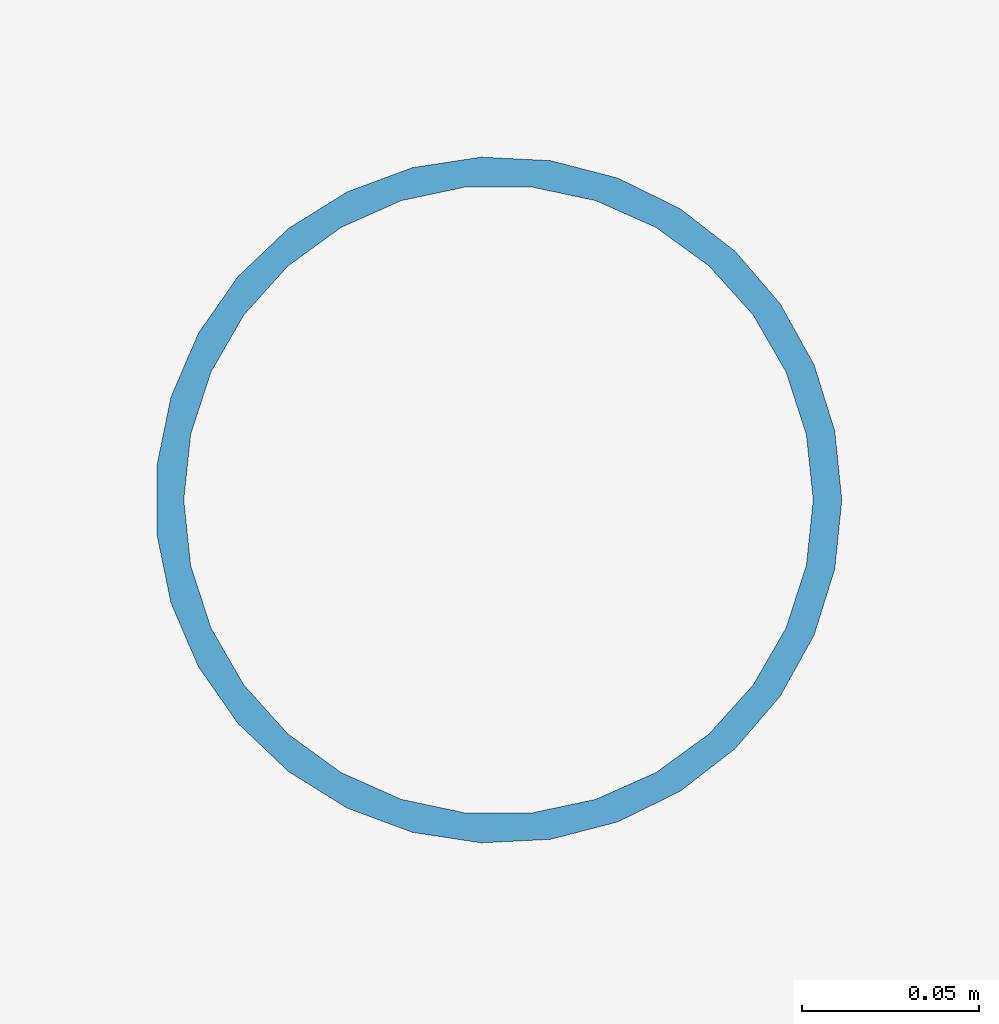
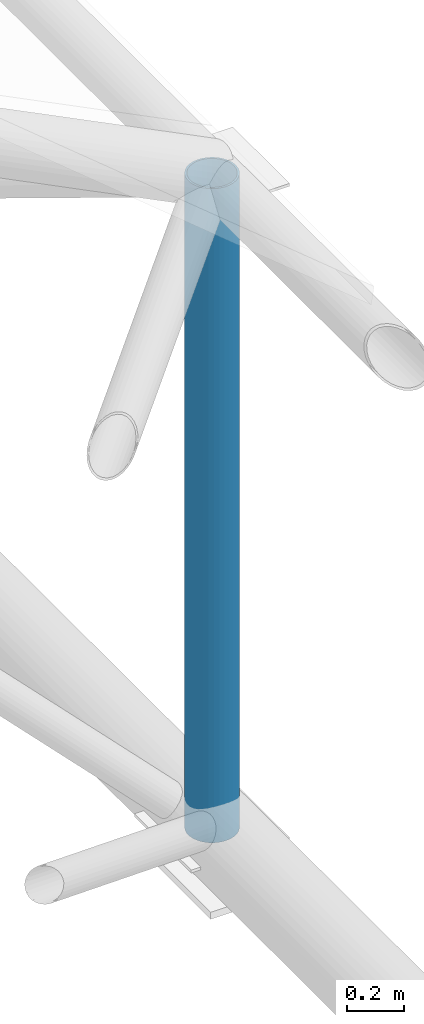
# One storey, part 23 of 100: 1 member.
"""IFC4 building model written with IfcOpenShell, lengths in metres."""

from ifc_helpers import new_model, si_unit, direction, frame, origin, origin_2d, place, context, subcontext, project, spatial, hollow_circle, extrude, material, material_profile, profile_set, type_object, element, save


model = new_model("IFC4")

# Units and contexts
model_context = context("Model", 3, precision=1e-05, world=origin(), true_north=direction((0.0, 1.0)))
body_context = subcontext(model_context, "Body", "Model", "MODEL_VIEW")
ifc_project = project(units=[si_unit("LENGTHUNIT", "METRE"), si_unit("AREAUNIT", "SQUARE_METRE"), si_unit("VOLUMEUNIT", "CUBIC_METRE"), si_unit("PLANEANGLEUNIT", "RADIAN"), si_unit("MASSUNIT", "GRAM", prefix="KILO")], contexts=[model_context])

# Site, building, storey
site_placement = place(None, origin())
site = spatial("IfcSite", under=ifc_project, at=site_placement, CompositionType="ELEMENT")
building_placement = place(site_placement, origin())
building = spatial("IfcBuilding", under=site, at=building_placement, Name="Kiln Court Media Centre", CompositionType="ELEMENT")
storey_placement = place(building_placement, frame((0.0, 0.0, 15.0)))
storey = spatial("IfcBuildingStorey", under=building, at=storey_placement, Name="L03", CompositionType="ELEMENT", Elevation=15.0)

# Member
ifc_material = material(Name="Steel ASTM A500 Gr C", Category="steel")
ifc_material_profile = material_profile(ifc_material, hollow_circle(Radius=0.096923828125, WallThickness=0.008056640625, at=origin_2d()), Name="CHS 193.7x8.0")
ifc_profile_set = profile_set([ifc_material_profile], Name="Steel ASTM A500 Gr C")
member_type = type_object("IfcMemberType", Name="Steel ASTM A500 Gr C CHS 193.7x8.0 space frame strut", PredefinedType="STRUT", material=ifc_profile_set)
member_placement = place(storey_placement, frame((100.800048828125, 46.199951171875, 0.18994140625), z_axis=(0.0, 0.0, 1.0), x_axis=(1.0, 0.0, 0.0)))
element("IfcMember", 1, at=member_placement, inside=storey, type_object=member_type, Name="V1 roof bearing post last 5 space frame strut", PredefinedType="STRUT", context=body_context, shape_type="SweptSolid", body=[
    extrude(hollow_circle(Radius=0.096923828125, WallThickness=0.008056640625, at=origin_2d()), origin(), (0.0, 0.0, 1.0), 2.81005859375),
])

save(model, "model.ifc")
